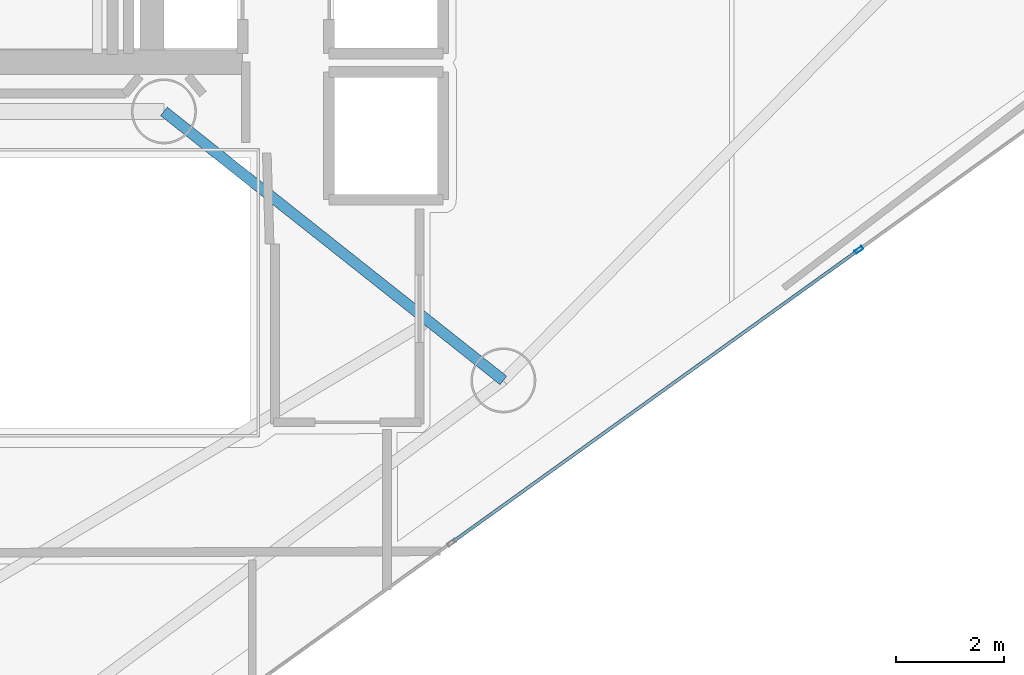
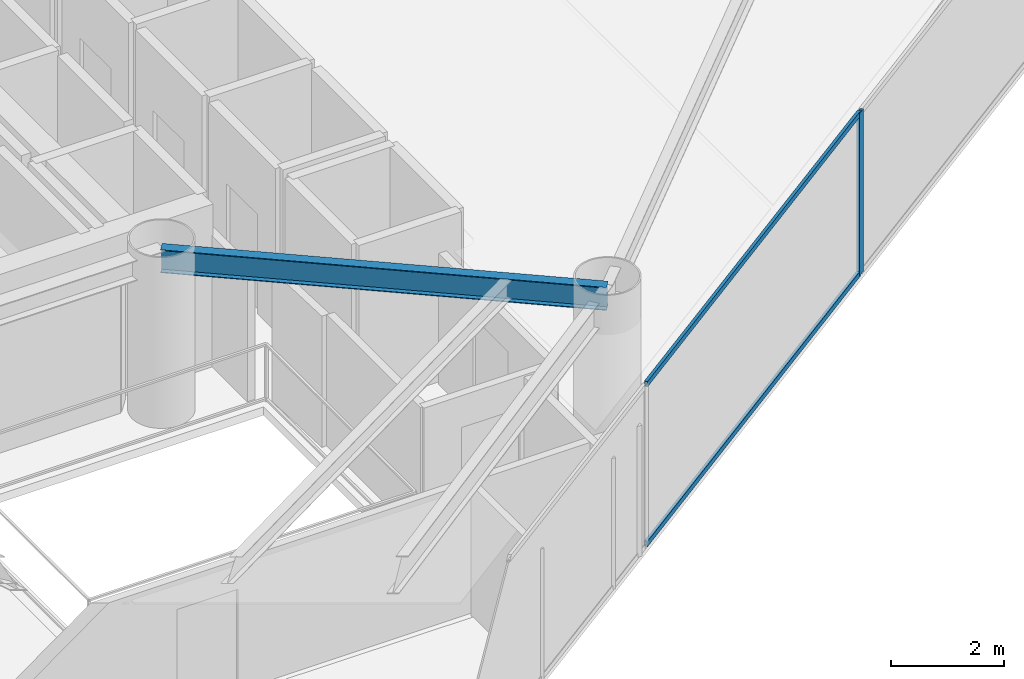
# One storey, part 7 of 22: 3 members, 1 beam, 1 element without a shape of its own.
"""IFC4 building model written with IfcOpenShell, lengths in metres."""

from ifc_helpers import new_model, si_unit, direction, frame, origin, origin_2d, place, context, subcontext, project, spatial, hollow_rectangle, i_section, extrude, material, layer, layer_set, material_profile, profile_set, type_object, element, aggregate, save


model = new_model("IFC4")

# Units and contexts
model_context = context("Model", 3, precision=1e-05, world=origin(), true_north=direction((0.0, 1.0)))
body_context = subcontext(model_context, "Body", "Model", "MODEL_VIEW")
ifc_project = project(units=[si_unit("LENGTHUNIT", "METRE"), si_unit("AREAUNIT", "SQUARE_METRE"), si_unit("VOLUMEUNIT", "CUBIC_METRE"), si_unit("PLANEANGLEUNIT", "RADIAN"), si_unit("MASSUNIT", "GRAM", prefix="KILO")], contexts=[model_context])

# Site, building, storey
site_placement = place(None, origin())
site = spatial("IfcSite", under=ifc_project, at=site_placement, CompositionType="ELEMENT")
building_placement = place(site_placement, origin())
building = spatial("IfcBuilding", under=site, at=building_placement, Name="Qianvela Tower", CompositionType="ELEMENT")
storey_placement = place(building_placement, frame((0.0, 0.0, 196.60009765625)))
storey = spatial("IfcBuildingStorey", under=building, at=storey_placement, Name="L50", CompositionType="ELEMENT", Elevation=196.60009765625)

# Beam
ifc_material_1 = material(Name="Steel Q355B", Category="steel")
ifc_material_profile_1 = material_profile(ifc_material_1, i_section(OverallWidth=0.199951171875, OverallDepth=0.5, WebThickness=0.010009765625, FlangeThickness=0.01611328125, at=origin_2d()), Name="HN500x200x10x16")
ifc_profile_set_1 = profile_set([ifc_material_profile_1], Name="Steel Q355B")
beam_type = type_object("IfcBeamType", Name="BM-HN500-GIRD", PredefinedType="BEAM", material=ifc_profile_set_1)
beam_placement = place(storey_placement, frame((38.39990234375, 23.85009765625, 3.267822265625), z_axis=(0.783705217119, -0.621132942824, 0.0), x_axis=(0.621132942824, 0.783705217119, 0.0)))
element("IfcBeam", 1, at=beam_placement, inside=storey, type_object=beam_type, Name="L50 Radial Primary Floor Girder 6", PredefinedType="BEAM", context=body_context, shape_type="SweptSolid", body=[
    extrude(i_section(OverallWidth=0.199951171875, OverallDepth=0.5, WebThickness=0.010009765625, FlangeThickness=0.01611328125, at=origin_2d()), origin(), (0.0, 0.0, 1.0), 7.996826171875),
])

# Curtain wall, members
ifc_material_2 = material(Name="Anodised Architectural Aluminium and Low-E Glass", Category="aluminium")
ifc_layer = layer(ifc_material_2, 0.159912109375)
ifc_layer_set = layer_set([ifc_layer], Name="Anodised Architectural Aluminium and Low-E Glass")
curtain_wall_type = type_object("IfcCurtainWallType", Name="CW-COLIV-Z56", PredefinedType="USERDEFINED", material=ifc_layer_set)
curtain_wall_placement = place(storey_placement, origin())
curtain_wall = element("IfcCurtainWall", 2, at=curtain_wall_placement, inside=storey, type_object=curtain_wall_type, Name="L50 CW-COLIV-Z56 Curtain Wall 06B", ObjectType="CURTAIN_WALL_SYSTEM", PredefinedType="USERDEFINED")
ifc_material_3 = material(Name="Anodised Architectural Aluminium 6063-T6", Category="aluminium")
ifc_material_profile_2 = material_profile(ifc_material_3, hollow_rectangle(XDim=0.06494140625, YDim=0.159912109375, WallThickness=0.0048828125, at=origin_2d()), Name="ALU-MULL-65x160")
ifc_profile_set_2 = profile_set([ifc_material_profile_2], Name="Anodised Architectural Aluminium 6063-T6")
member_type_1 = type_object("IfcMemberType", Name="CW-COLIV-Z56-MULL", PredefinedType="MULLION", material=ifc_profile_set_2)
member_1_placement = place(storey_placement, frame((51.23193359375, 21.294189453125, 0.0), z_axis=(0.0, 0.0, 1.0), x_axis=(-0.583724581505, 0.811951730676, 0.0)))
member_1 = element("IfcMember", 3, at=member_1_placement, type_object=member_type_1, Name="CW-5 mullion 3", PredefinedType="MULLION", context=body_context, shape_type="SweptSolid", body=[
    extrude(hollow_rectangle(XDim=0.06494140625, YDim=0.159912109375, WallThickness=0.0048828125, at=origin_2d()), origin(), (0.0, 0.0, 1.0), 3.52001953125),
])
ifc_material_4 = material(Name="Anodised Architectural Aluminium 6063-T6", Category="aluminium")
ifc_material_profile_3 = material_profile(ifc_material_4, hollow_rectangle(XDim=0.06005859375, YDim=0.114990234375, WallThickness=0.00390625, at=origin_2d()), Name="ALU-TRAN-60x115")
ifc_profile_set_3 = profile_set([ifc_material_profile_3], Name="Anodised Architectural Aluminium 6063-T6")
member_type_2 = type_object("IfcMemberType", Name="CW-COLIV-Z56-TRAN", PredefinedType="USERDEFINED", material=ifc_profile_set_3)
member_2_placement = place(storey_placement, frame((43.737548828125, 15.90625, 0.02978515625), z_axis=(0.811950502197, 0.583726290295, 0.0), x_axis=(-0.583726290295, 0.811950502197, 0.0)))
member_2 = element("IfcMember", 4, at=member_2_placement, type_object=member_type_2, Name="CW-5 transom 2.1", ObjectType="TRANSOM", PredefinedType="USERDEFINED", context=body_context, shape_type="SweptSolid", body=[
    extrude(hollow_rectangle(XDim=0.06005859375, YDim=0.114990234375, WallThickness=0.00390625, at=origin_2d()), origin(), (0.0, 0.0, 1.0), 9.197509765625),
])
member_3_placement = place(storey_placement, frame((43.737548828125, 15.90625, 3.489990234375), z_axis=(0.811950502197, 0.583726290295, 0.0), x_axis=(-0.583726290295, 0.811950502197, 0.0)))
member_3 = element("IfcMember", 5, at=member_3_placement, type_object=member_type_2, Name="CW-5 transom 2.2", ObjectType="TRANSOM", PredefinedType="USERDEFINED", context=body_context, shape_type="SweptSolid", body=[
    extrude(hollow_rectangle(XDim=0.06005859375, YDim=0.114990234375, WallThickness=0.00390625, at=origin_2d()), origin(), (0.0, 0.0, 1.0), 9.197509765625),
])
aggregate(curtain_wall, [member_1, member_2, member_3])

save(model, "model.ifc")
